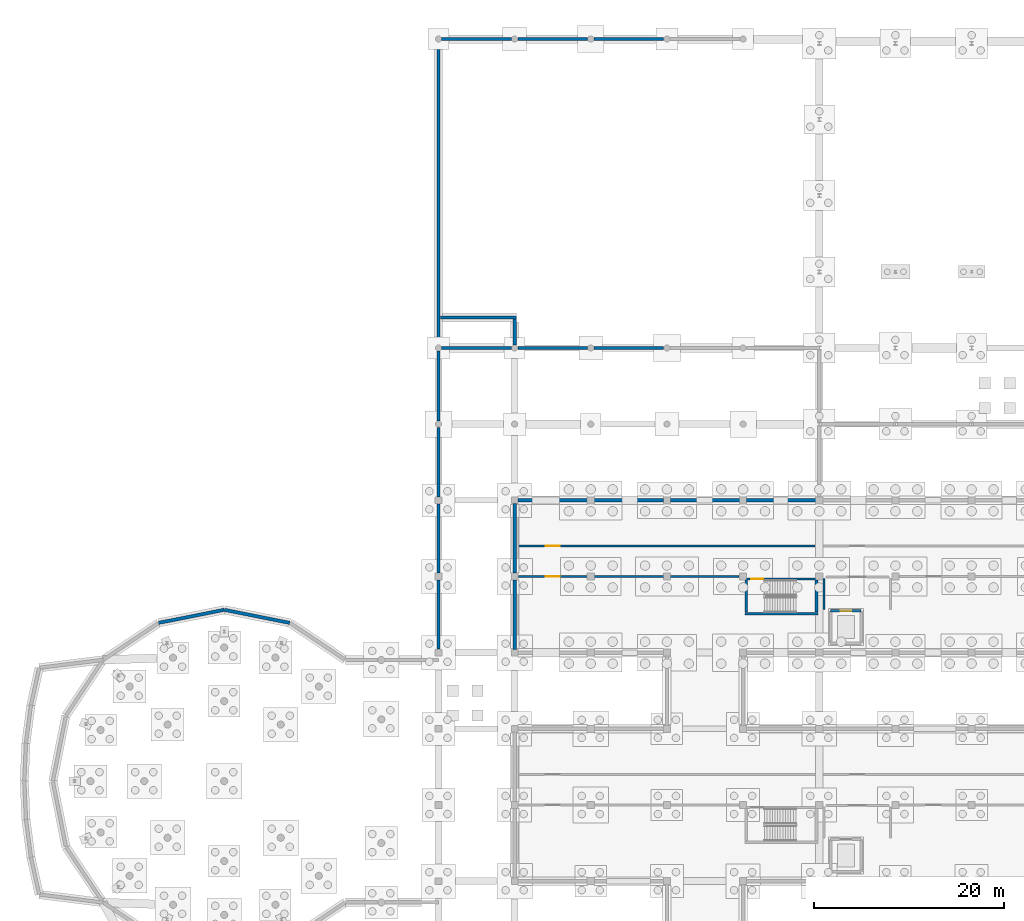
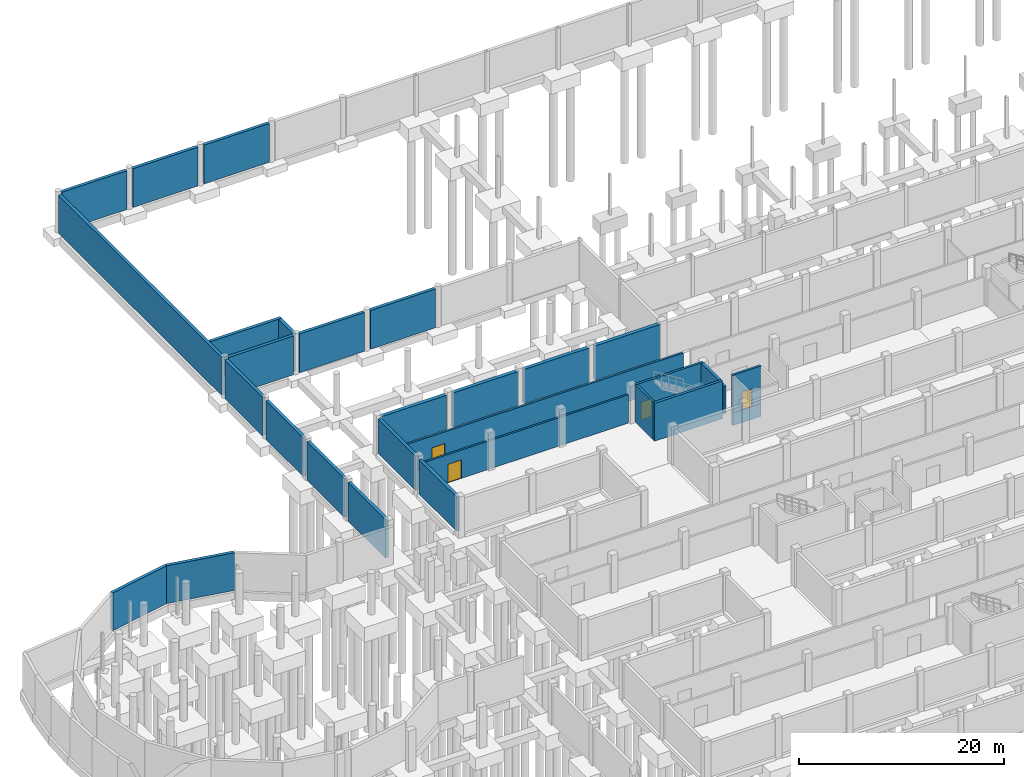
# One storey, part 40 of 51: 30 walls, 4 doors, 4 openings.
"""IFC4 building model written with IfcOpenShell, lengths in metres."""

from ifc_helpers import new_model, si_unit, direction, frame, frame_2d, origin, place, context, subcontext, project, spatial, rectangle, extrude, material, layer, layer_set, type_object, element, fill, save


model = new_model("IFC4")

# Units and contexts
model_context = context("Model", 3, precision=1e-05, world=origin(), true_north=direction((0.0, 1.0)))
body_context = subcontext(model_context, "Body", "Model", "MODEL_VIEW")
ifc_project = project(units=[si_unit("LENGTHUNIT", "METRE"), si_unit("AREAUNIT", "SQUARE_METRE"), si_unit("VOLUMEUNIT", "CUBIC_METRE"), si_unit("PLANEANGLEUNIT", "RADIAN"), si_unit("MASSUNIT", "GRAM", prefix="KILO")], contexts=[model_context])

# Site, building, storey
site_placement = place(None, origin())
site = spatial("IfcSite", under=ifc_project, at=site_placement, CompositionType="ELEMENT")
building_placement = place(site_placement, origin())
building = spatial("IfcBuilding", under=site, at=building_placement, Name="Jelvoka-Kovrelna Polytechnic", CompositionType="ELEMENT")
storey_placement = place(building_placement, frame((0.0, 0.0, -4.5)))
storey = spatial("IfcBuildingStorey", under=building, at=storey_placement, Name="B01", CompositionType="ELEMENT", Elevation=-4.5)

# Wall
ifc_material_1 = material(Name="Concrete C35/45", Category="concrete")
ifc_layer_1 = layer(ifc_material_1, 0.219970703125)
ifc_layer_set_1 = layer_set([ifc_layer_1], Name="Concrete C35/45")
wall_type_1 = type_object("IfcWallType", Name="Wall_Compartment_220", PredefinedType="PARTITIONING", material=ifc_layer_set_1)
wall_1_placement = place(storey_placement, frame((88.5, 60.550048828125, 0.0), z_axis=(0.0, 0.0, 1.0), x_axis=(0.0, 1.0, 0.0)))
element("IfcWall", 1, at=wall_1_placement, inside=storey, type_object=wall_type_1, Name="B01 interior wall 0262", PredefinedType="PARTITIONING", context=body_context, shape_type="SweptSolid", body=[
    extrude(rectangle(XDim=3.25, YDim=0.219970703125, at=frame_2d((1.625, 0.0))), origin(), (0.0, 0.0, 1.0), 3.27001953125),
])

# Wall, opening, door
wall_2_placement = place(storey_placement, frame((56.429931640625, 64.0, 0.0), z_axis=(0.0, 0.0, 1.0), x_axis=(1.0, 0.0, 0.0)))
wall_2 = element("IfcWall", 2, at=wall_2_placement, inside=storey, type_object=wall_type_1, Name="B01 interior wall 0831", PredefinedType="PARTITIONING", context=body_context, shape_type="SweptSolid", body=[
    extrude(rectangle(XDim=23.14013671875, YDim=0.219970703125, at=frame_2d((11.570068359375, 0.0))), origin(), (0.0, 0.0, 1.0), 3.3701171875),
])
opening_1_placement = place(wall_2_placement, frame((2.820068359375, 0.0, 0.0)))
opening_1 = element("IfcOpeningElement", 3, at=opening_1_placement, cuts=wall_2, Name="Opening D-B01-141", PredefinedType="OPENING", context=body_context, shape_type="SweptSolid", body=[
    extrude(rectangle(XDim=1.5, YDim=2.199951171875, at=frame_2d((0.75, 1.10009765625))), frame((0.0, 0.119873046875, 0.0), z_axis=(0.0, -1.0, 0.0), x_axis=(1.0, 0.0, 0.0)), (0.0, 0.0, 1.0), 0.239990234375),
])
ifc_material_2 = material(Name="Paired steel stair lobby fire door", Category="steel")
door_type_1 = type_object("IfcDoorType", Name="Door_Fire_FD04", OperationType="NOTDEFINED", PredefinedType="DOOR", material=ifc_material_2)
door_1_placement = place(opening_1_placement, origin())
door_1 = element("IfcDoor", 4, at=door_1_placement, inside=storey, type_object=door_type_1, Name="B01 interior door D-B01-141", OperationType="DOUBLE_DOOR_SINGLE_SWING", OverallHeight=2.199951171875, OverallWidth=1.5, PredefinedType="DOOR", context=body_context, shape_type="SweptSolid", body=[
    extrude(rectangle(XDim=1.5, YDim=2.199951171875, at=frame_2d((0.75, 1.10009765625))), frame((0.0, 0.02490234375, 0.0), z_axis=(0.0, -1.0, 0.0), x_axis=(1.0, 0.0, 0.0)), (0.0, 0.0, 1.0), 0.050048828125),
])
fill(opening_1, door_1)

wall_3_placement = place(storey_placement, frame((56.429931640625, 67.199951171875, 0.0), z_axis=(0.0, 0.0, 1.0), x_axis=(1.0, 0.0, 0.0)))
wall_3 = element("IfcWall", 5, at=wall_3_placement, inside=storey, type_object=wall_type_1, Name="B01 interior wall 0836", PredefinedType="PARTITIONING", context=body_context, shape_type="SweptSolid", body=[
    extrude(rectangle(XDim=31.14013671875, YDim=0.219970703125, at=frame_2d((15.570068359375, 0.0))), origin(), (0.0, 0.0, 1.0), 3.60009765625),
])
opening_2_placement = place(wall_3_placement, frame((2.820068359375, 0.0, 0.0)))
opening_2 = element("IfcOpeningElement", 6, at=opening_2_placement, cuts=wall_3, Name="Opening D-B01-145", PredefinedType="OPENING", context=body_context, shape_type="SweptSolid", body=[
    extrude(rectangle(XDim=1.5, YDim=2.199951171875, at=frame_2d((0.75, 1.10009765625))), frame((0.0, 0.119873046875, 0.0), z_axis=(0.0, -1.0, 0.0), x_axis=(1.0, 0.0, 0.0)), (0.0, 0.0, 1.0), 0.239990234375),
])
door_2_placement = place(opening_2_placement, origin())
door_2 = element("IfcDoor", 7, at=door_2_placement, inside=storey, type_object=door_type_1, Name="B01 interior door D-B01-145", OperationType="DOUBLE_DOOR_SINGLE_SWING", OverallHeight=2.199951171875, OverallWidth=1.5, PredefinedType="DOOR", context=body_context, shape_type="SweptSolid", body=[
    extrude(rectangle(XDim=1.5, YDim=2.199951171875, at=frame_2d((0.75, 1.10009765625))), frame((0.0, 0.02490234375, 0.0), z_axis=(0.0, -1.0, 0.0), x_axis=(1.0, 0.0, 0.0)), (0.0, 0.0, 1.0), 0.050048828125),
])
fill(opening_2, door_2)

ifc_material_3 = material(Name="Concrete C40/50", Category="concrete")
ifc_layer_2 = layer(ifc_material_3, 0.25)
ifc_layer_set_2 = layer_set([ifc_layer_2], Name="Concrete C40/50")
wall_type_2 = type_object("IfcWallType", Name="Wall_Core_250", PredefinedType="SOLIDWALL", material=ifc_layer_set_2)
wall_4_placement = place(storey_placement, frame((80.199951171875, 63.739990234375, 0.0), z_axis=(0.0, 0.0, 1.0), x_axis=(1.0, 0.0, 0.0)))
wall_4 = element("IfcWall", 8, at=wall_4_placement, inside=storey, type_object=wall_type_2, Name="B01 interior wall 0147", PredefinedType="SOLIDWALL", context=body_context, shape_type="SweptSolid", body=[
    extrude(rectangle(XDim=7.650146484375, YDim=0.25, at=frame_2d((3.8251953125, 0.0))), origin(), (0.0, 0.0, 1.0), 4.5),
])
opening_3_placement = place(wall_4_placement, frame((0.64990234375, 0.0, 0.0)))
opening_3 = element("IfcOpeningElement", 9, at=opening_3_placement, cuts=wall_4, Name="Opening SD-B01-037", PredefinedType="OPENING", context=body_context, shape_type="SweptSolid", body=[
    extrude(rectangle(XDim=1.25, YDim=2.14990234375, at=frame_2d((0.625, 1.074951171875))), frame((0.0, 0.135009765625, 0.0), z_axis=(0.0, -1.0, 0.0), x_axis=(1.0, 0.0, 0.0)), (0.0, 0.0, 1.0), 0.27001953125),
])
ifc_material_4 = material(Name="Powder-coated steel fire door", Category="steel")
door_type_2 = type_object("IfcDoorType", Name="Door_Fire_FD02", OperationType="NOTDEFINED", PredefinedType="DOOR", material=ifc_material_4)
door_3_placement = place(opening_3_placement, origin())
door_3 = element("IfcDoor", 10, at=door_3_placement, inside=storey, type_object=door_type_2, Name="B01 interior door SD-B01-037", OperationType="SINGLE_SWING_LEFT", OverallHeight=2.14990234375, OverallWidth=1.25, PredefinedType="DOOR", context=body_context, shape_type="SweptSolid", body=[
    extrude(rectangle(XDim=1.25, YDim=2.14990234375, at=frame_2d((0.625, 1.074951171875))), frame((0.0, 0.02490234375, 0.0), z_axis=(0.0, -1.0, 0.0), x_axis=(1.0, 0.0, 0.0)), (0.0, 0.0, 1.0), 0.050048828125),
])
fill(opening_3, door_3)

# Walls
wall_5_placement = place(storey_placement, frame((80.324951171875, 60.25, 0.0), z_axis=(0.0, 0.0, 1.0), x_axis=(0.0, 1.0, 0.0)))
element("IfcWall", 11, at=wall_5_placement, inside=storey, type_object=wall_type_2, Name="B01 interior wall 0148", PredefinedType="SOLIDWALL", context=body_context, shape_type="SweptSolid", body=[
    extrude(rectangle(XDim=3.360107421875, YDim=0.25, at=frame_2d((1.68017578125, 0.0))), origin(), (0.0, 0.0, 1.0), 4.5),
])
wall_6_placement = place(storey_placement, frame((92.39990234375, 60.39990234375, -1.5), z_axis=(0.0, 0.0, 1.0), x_axis=(-1.0, 0.0, 0.0)))
element("IfcWall", 12, at=wall_6_placement, inside=storey, type_object=wall_type_2, Name="B01 interior wall 0255", PredefinedType="SOLIDWALL", context=body_context, shape_type="SweptSolid", body=[
    extrude(rectangle(XDim=3.199951171875, YDim=0.25, at=frame_2d((1.60009765625, 0.0))), origin(), (0.0, 0.0, 1.0), 1.5),
])

# Wall, opening, door
wall_7_placement = place(storey_placement, frame((89.199951171875, 60.39990234375, 0.0), z_axis=(0.0, 0.0, 1.0), x_axis=(1.0, 0.0, 0.0)))
wall_7 = element("IfcWall", 13, at=wall_7_placement, inside=storey, type_object=wall_type_2, Name="B01 interior wall 0258", PredefinedType="SOLIDWALL", context=body_context, shape_type="SweptSolid", body=[
    extrude(rectangle(XDim=3.199951171875, YDim=0.25, at=frame_2d((1.60009765625, 0.0))), origin(), (0.0, 0.0, 1.0), 4.5),
])
opening_4_placement = place(wall_7_placement, frame((1.050048828125, 0.0, 0.0)))
opening_4 = element("IfcOpeningElement", 14, at=opening_4_placement, cuts=wall_7, Name="Opening LD-B01-01", PredefinedType="OPENING", context=body_context, shape_type="SweptSolid", body=[
    extrude(rectangle(XDim=1.10009765625, YDim=2.14990234375, at=frame_2d((0.550048828125, 1.074951171875))), frame((0.0, 0.135009765625, 0.0), z_axis=(0.0, -1.0, 0.0), x_axis=(1.0, 0.0, 0.0)), (0.0, 0.0, 1.0), 0.27001953125),
])
ifc_material_5 = material(Name="Brushed stainless steel sliding landing door", Category="steel")
door_type_3 = type_object("IfcDoorType", Name="Door_Lift_LD01", OperationType="NOTDEFINED", PredefinedType="DOOR", material=ifc_material_5)
door_4_placement = place(opening_4_placement, origin())
door_4 = element("IfcDoor", 15, at=door_4_placement, inside=storey, type_object=door_type_3, Name="B01 lift landing sliding door LD-B01-01", OperationType="DOUBLE_DOOR_SLIDING", OverallHeight=2.14990234375, OverallWidth=1.10009765625, PredefinedType="DOOR", context=body_context, shape_type="SweptSolid", body=[
    extrude(rectangle(XDim=1.10009765625, YDim=2.14990234375, at=frame_2d((0.550048828125, 1.074951171875))), frame((0.0, 0.02490234375, 0.0), z_axis=(0.0, -1.0, 0.0), x_axis=(1.0, 0.0, 0.0)), (0.0, 0.0, 1.0), 0.050048828125),
])
fill(opening_4, door_4)

# Walls
ifc_material_6 = material(Name="Concrete C35/45", Category="concrete")
ifc_layer_3 = layer(ifc_material_6, 0.35009765625)
ifc_layer_set_3 = layer_set([ifc_layer_3], Name="Concrete C35/45")
wall_type_3 = type_object("IfcWallType", Name="Wall_Retaining_350", PredefinedType="USERDEFINED", material=ifc_layer_set_3)
for number, where, z_axis, x_axis, name in (
    (16, (56.0, 56.35009765625, 0.0), (0.0, 0.0, 1.0), (0.0, 1.0, 0.0), "B01 exterior wall 0103"),
    (17, (56.0, 64.35009765625, 0.0), (0.0, 0.0, 1.0), (0.0, 1.0, 0.0), "B01 exterior wall 0105"),
):
    element("IfcWall", number, at=place(storey_placement, frame(where, z_axis=z_axis, x_axis=x_axis)), inside=storey, type_object=wall_type_3, Name=name, ObjectType="RETAININGWALL", PredefinedType="USERDEFINED", context=body_context, shape_type="SweptSolid", body=[
        extrude(rectangle(XDim=7.2998046875, YDim=0.35009765625, at=frame_2d((3.64990234375, 0.0))), origin(), (0.0, 0.0, 1.0), 4.094970703125),
    ])
for number, where, z_axis, x_axis, name in (
    (18, (32.38818359375, 59.1298828125, -0.405029296875), (0.0, 0.0, 1.0), (-0.980786035562, 0.19508652554, 0.0), "B01 exterior wall 0116"),
    (19, (25.5, 60.5, -0.405029296875), (0.0, 0.0, 1.0), (-0.980786035562, -0.19508652554, 0.0), "B01 exterior wall 0117"),
):
    element("IfcWall", number, at=place(storey_placement, frame(where, z_axis=z_axis, x_axis=x_axis)), inside=storey, type_object=wall_type_3, Name=name, ObjectType="RETAININGWALL", PredefinedType="USERDEFINED", context=body_context, shape_type="SweptSolid", body=[
        extrude(rectangle(XDim=7.023193359375, YDim=0.35009765625, at=frame_2d((3.51171875, 0.0))), origin(), (0.0, 0.0, 1.0), 4.4951171875),
    ])
for number, where, z_axis, x_axis, name in (
    (20, (48.0, 56.362060546875, -0.405029296875), (0.0, 0.0, 1.0), (0.0, 1.0, 0.0), "B01 exterior wall 0187"),
    (21, (48.0, 64.362060546875, -0.405029296875), (0.0, 0.0, 1.0), (0.0, 1.0, 0.0), "B01 exterior wall 0188"),
):
    element("IfcWall", number, at=place(storey_placement, frame(where, z_axis=z_axis, x_axis=x_axis)), inside=storey, type_object=wall_type_3, Name=name, ObjectType="RETAININGWALL", PredefinedType="USERDEFINED", context=body_context, shape_type="SweptSolid", body=[
        extrude(rectangle(XDim=7.27587890625, YDim=0.35009765625, at=frame_2d((3.637939453125, 0.0))), origin(), (0.0, 0.0, 1.0), 4.6201171875),
    ])
wall_8_placement = place(storey_placement, frame((48.0, 72.362060546875, -0.405029296875), z_axis=(0.0, 0.0, 1.0), x_axis=(0.0, 1.0, 0.0)))
element("IfcWall", 22, at=wall_8_placement, inside=storey, type_object=wall_type_3, Name="B01 exterior wall 0189", ObjectType="RETAININGWALL", PredefinedType="USERDEFINED", context=body_context, shape_type="SweptSolid", body=[
    extrude(rectangle(XDim=7.301025390625, YDim=0.35009765625, at=frame_2d((3.650390625, 0.0))), origin(), (0.0, 0.0, 1.0), 4.6201171875),
])
wall_9_placement = place(storey_placement, frame((48.0, 80.3369140625, -0.405029296875), z_axis=(0.0, 0.0, 1.0), x_axis=(0.0, 1.0, 0.0)))
element("IfcWall", 23, at=wall_9_placement, inside=storey, type_object=wall_type_3, Name="B01 exterior wall 0190", ObjectType="RETAININGWALL", PredefinedType="USERDEFINED", context=body_context, shape_type="SweptSolid", body=[
    extrude(rectangle(XDim=7.326171875, YDim=0.35009765625, at=frame_2d((3.6630859375, 0.0))), origin(), (0.0, 0.0, 1.0), 4.6201171875),
])
wall_10_placement = place(storey_placement, frame((48.0, 88.3369140625, -0.405029296875), z_axis=(0.0, 0.0, 1.0), x_axis=(0.0, 1.0, 0.0)))
element("IfcWall", 24, at=wall_10_placement, inside=storey, type_object=wall_type_3, Name="B01 exterior wall 0191", ObjectType="RETAININGWALL", PredefinedType="USERDEFINED", context=body_context, shape_type="SweptSolid", body=[
    extrude(rectangle(XDim=31.776123046875, YDim=0.35009765625, at=frame_2d((15.88818359375, 0.0))), origin(), (0.0, 0.0, 1.0), 4.554931640625),
])
for number, where, z_axis, x_axis, name in (
    (25, (48.3369140625, 88.0, -0.405029296875), (0.0, 0.0, 1.0), (1.0, 0.0, 0.0), "B01 exterior wall 0192"),
    (26, (56.3369140625, 88.0, -0.405029296875), (0.0, 0.0, 1.0), (1.0, 0.0, 0.0), "B01 exterior wall 0193"),
    (27, (64.3369140625, 88.0, -0.405029296875), (0.0, 0.0, 1.0), (1.0, 0.0, 0.0), "B01 exterior wall 0194"),
):
    element("IfcWall", number, at=place(storey_placement, frame(where, z_axis=z_axis, x_axis=x_axis)), inside=storey, type_object=wall_type_3, Name=name, ObjectType="RETAININGWALL", PredefinedType="USERDEFINED", context=body_context, shape_type="SweptSolid", body=[
        extrude(rectangle(XDim=7.326171875, YDim=0.35009765625, at=frame_2d((3.6630859375, 0.0))), origin(), (0.0, 0.0, 1.0), 4.6201171875),
    ])
wall_11_placement = place(storey_placement, frame((48.219970703125, 91.199951171875, -0.405029296875), z_axis=(0.0, 0.0, 1.0), x_axis=(1.0, 0.0, 0.0)))
element("IfcWall", 28, at=wall_11_placement, inside=storey, type_object=wall_type_3, Name="B01 exterior wall 0197", ObjectType="RETAININGWALL", PredefinedType="USERDEFINED", context=body_context, shape_type="SweptSolid", body=[
    extrude(rectangle(XDim=7.955078125, YDim=0.35009765625, at=frame_2d((3.9775390625, 0.0))), origin(), (0.0, 0.0, 1.0), 4.6201171875),
])
wall_12_placement = place(storey_placement, frame((56.0, 88.3369140625, -0.405029296875), z_axis=(0.0, 0.0, 1.0), x_axis=(0.0, 1.0, 0.0)))
element("IfcWall", 29, at=wall_12_placement, inside=storey, type_object=wall_type_3, Name="B01 exterior wall 0198", ObjectType="RETAININGWALL", PredefinedType="USERDEFINED", context=body_context, shape_type="SweptSolid", body=[
    extrude(rectangle(XDim=2.68798828125, YDim=0.35009765625, at=frame_2d((1.343994140625, 0.0))), origin(), (0.0, 0.0, 1.0), 4.6201171875),
])
for number, where, z_axis, x_axis, name in (
    (30, (48.3369140625, 120.449951171875, -0.405029296875), (0.0, 0.0, 1.0), (1.0, 0.0, 0.0), "B01 exterior wall 0220"),
    (31, (56.3369140625, 120.449951171875, -0.405029296875), (0.0, 0.0, 1.0), (1.0, 0.0, 0.0), "B01 exterior wall 0221"),
    (32, (64.3369140625, 120.449951171875, -0.405029296875), (0.0, 0.0, 1.0), (1.0, 0.0, 0.0), "B01 exterior wall 0222"),
):
    element("IfcWall", number, at=place(storey_placement, frame(where, z_axis=z_axis, x_axis=x_axis)), inside=storey, type_object=wall_type_3, Name=name, ObjectType="RETAININGWALL", PredefinedType="USERDEFINED", context=body_context, shape_type="SweptSolid", body=[
        extrude(rectangle(XDim=7.326171875, YDim=0.35009765625, at=frame_2d((3.6630859375, 0.0))), origin(), (0.0, 0.0, 1.0), 4.6201171875),
    ])
ifc_material_7 = material(Name="Concrete C35/45", Category="concrete")
ifc_layer_4 = layer(ifc_material_7, 0.39990234375)
ifc_layer_set_4 = layer_set([ifc_layer_4], Name="Concrete C35/45")
wall_type_4 = type_object("IfcWallType", Name="Wall_Retaining_400", PredefinedType="USERDEFINED", material=ifc_layer_set_4)
for number, where, z_axis, x_axis, name in (
    (33, (56.35009765625, 72.0, 0.0), (0.0, 0.0, 1.0), (1.0, 0.0, 0.0), "B01 exterior wall 0072"),
    (34, (64.35009765625, 72.0, 0.0), (0.0, 0.0, 1.0), (1.0, 0.0, 0.0), "B01 exterior wall 0074"),
    (35, (72.35009765625, 72.0, 0.0), (0.0, 0.0, 1.0), (1.0, 0.0, 0.0), "B01 exterior wall 0075"),
    (36, (80.35009765625, 72.0, 0.0), (0.0, 0.0, 1.0), (1.0, 0.0, 0.0), "B01 exterior wall 0077"),
):
    element("IfcWall", number, at=place(storey_placement, frame(where, z_axis=z_axis, x_axis=x_axis)), inside=storey, type_object=wall_type_4, Name=name, ObjectType="RETAININGWALL", PredefinedType="USERDEFINED", context=body_context, shape_type="SweptSolid", body=[
        extrude(rectangle(XDim=7.2998046875, YDim=0.39990234375, at=frame_2d((3.64990234375, 0.0))), origin(), (0.0, 0.0, 1.0), 4.094970703125),
    ])
ifc_material_8 = material(Name="Concrete C40/50", Category="concrete")
ifc_layer_5 = layer(ifc_material_8, 0.300048828125)
ifc_layer_set_5 = layer_set([ifc_layer_5], Name="Concrete C40/50")
wall_type_5 = type_object("IfcWallType", Name="Wall_Shear_300", PredefinedType="SHEAR", material=ifc_layer_set_5)
wall_13_placement = place(storey_placement, frame((80.199951171875, 60.090087890625, 0.0), z_axis=(0.0, 0.0, 1.0), x_axis=(1.0, 0.0, 0.0)))
element("IfcWall", 37, at=wall_13_placement, inside=storey, type_object=wall_type_5, Name="B01 interior wall 0145", PredefinedType="SHEAR", context=body_context, shape_type="SweptSolid", body=[
    extrude(rectangle(XDim=7.650146484375, YDim=0.300048828125, at=frame_2d((3.8251953125, 0.0))), origin(), (0.0, 0.0, 1.0), 4.5),
])
wall_14_placement = place(storey_placement, frame((87.7099609375, 60.25, 0.0), z_axis=(0.0, 0.0, 1.0), x_axis=(0.0, 1.0, 0.0)))
element("IfcWall", 38, at=wall_14_placement, inside=storey, type_object=wall_type_5, Name="B01 interior wall 0146", PredefinedType="SHEAR", context=body_context, shape_type="SweptSolid", body=[
    extrude(rectangle(XDim=3.360107421875, YDim=0.300048828125, at=frame_2d((1.68017578125, 0.0))), origin(), (0.0, 0.0, 1.0), 4.5),
])

save(model, "model.ifc")
